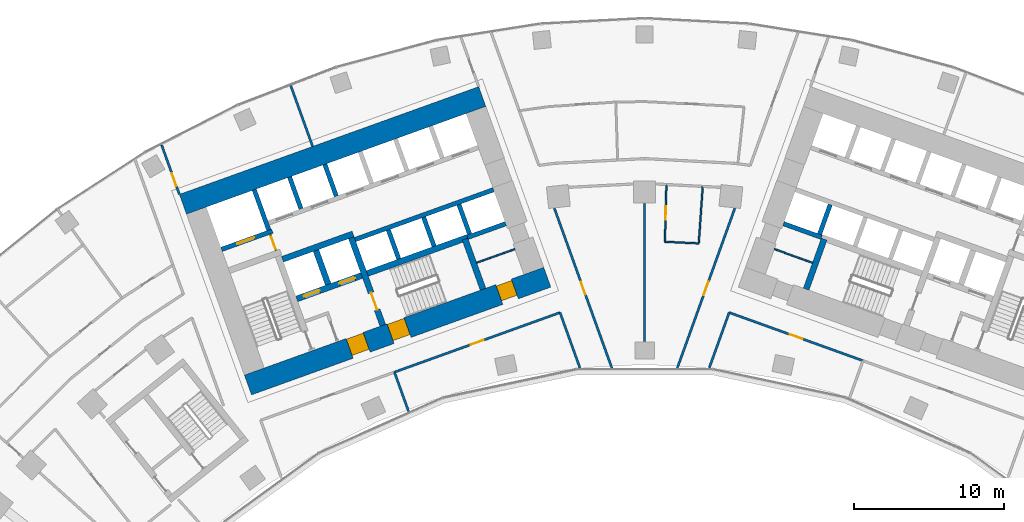
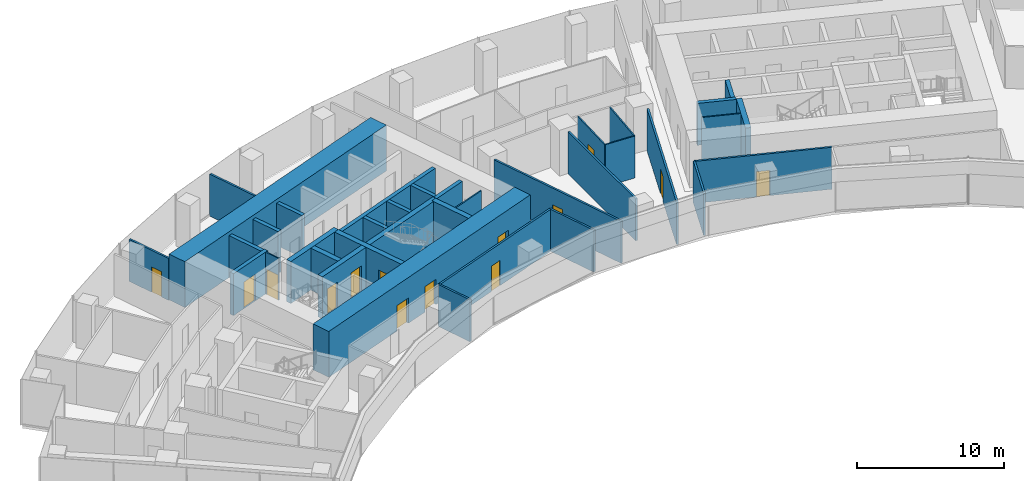
# One storey, part 15 of 21: 35 walls, 14 doors, 14 openings.
"""IFC4 building model written with IfcOpenShell, lengths in metres."""

from ifc_helpers import new_model, si_unit, direction, frame, frame_2d, origin, place, context, subcontext, project, spatial, rectangle, extrude, material, layer, layer_set, type_object, element, fill, save


model = new_model("IFC4")

# Units and contexts
model_context = context("Model", 3, precision=1e-05, world=origin(), true_north=direction((0.0, 1.0)))
body_context = subcontext(model_context, "Body", "Model", "MODEL_VIEW")
ifc_project = project(units=[si_unit("LENGTHUNIT", "METRE"), si_unit("AREAUNIT", "SQUARE_METRE"), si_unit("VOLUMEUNIT", "CUBIC_METRE"), si_unit("PLANEANGLEUNIT", "RADIAN"), si_unit("MASSUNIT", "GRAM", prefix="KILO")], contexts=[model_context])

# Site, building, storey
site_placement = place(None, origin())
site = spatial("IfcSite", under=ifc_project, at=site_placement, CompositionType="ELEMENT")
building_placement = place(site_placement, origin())
building = spatial("IfcBuilding", under=site, at=building_placement, Name="Stone Belt Terrace Tower", CompositionType="ELEMENT")
storey_placement = place(building_placement, frame((0.0, 0.0, 94.60009765625)))
storey = spatial("IfcBuildingStorey", under=building, at=storey_placement, Name="L22", CompositionType="ELEMENT", Elevation=94.60009765625)

# Wall, opening, door
ifc_material_1 = material(Name="Plasterboard partition")
ifc_layer_1 = layer(ifc_material_1, 0.10009765625)
ifc_layer_set_1 = layer_set([ifc_layer_1], Name="Core partition 100")
wall_type_1 = type_object("IfcWallType", Name="Core partition 100", PredefinedType="PARTITIONING", material=ifc_layer_set_1)
wall_1_placement = place(storey_placement, frame((-24.555908203125, 51.10400390625, 0.0), z_axis=(0.0, 0.0, 1.0), x_axis=(-0.338621735342, 0.94092258999, 0.0)))
wall_1 = element("IfcWall", 1, at=wall_1_placement, inside=storey, type_object=wall_type_1, Name="Core A wall", PredefinedType="PARTITIONING", context=body_context, shape_type="SweptSolid", body=[
    extrude(rectangle(XDim=1.14990234375, YDim=0.10009765625, at=frame_2d((0.574951171875, 0.0))), origin(), (0.0, 0.0, 1.0), 3.47998046875),
])
opening_1_placement = place(wall_1_placement, frame((0.050048828125, 0.0, 0.0)))
opening_1 = element("IfcOpeningElement", 2, at=opening_1_placement, cuts=wall_1, Name="Opening L22-C01", PredefinedType="OPENING", context=body_context, shape_type="SweptSolid", body=[
    extrude(rectangle(XDim=1.0, YDim=2.10009765625, at=frame_2d((0.5, 1.050048828125))), frame((0.0, 0.06005859375, 0.0), z_axis=(0.0, -1.0, 0.0), x_axis=(1.0, 0.0, 0.0)), (0.0, 0.0, 1.0), 0.1201171875),
])
ifc_material_2 = material(Name="Timber door leaf", Category="wood")
door_type_1 = type_object("IfcDoorType", Name="Core room door 1000", OperationType="SINGLE_SWING_LEFT", PredefinedType="DOOR", material=ifc_material_2)
door_1_placement = place(opening_1_placement, origin())
door_1 = element("IfcDoor", 3, at=door_1_placement, inside=storey, type_object=door_type_1, Name="Service lift lobby door core A", OperationType="SINGLE_SWING_LEFT", OverallHeight=2.10009765625, OverallWidth=1.0, PredefinedType="DOOR", context=body_context, shape_type="SweptSolid", body=[
    extrude(rectangle(XDim=1.0, YDim=2.10009765625, at=frame_2d((0.5, 1.050048828125))), frame((0.0, 0.02490234375, 0.0), z_axis=(0.0, -1.0, 0.0), x_axis=(1.0, 0.0, 0.0)), (0.0, 0.0, 1.0), 0.050048828125),
])
fill(opening_1, door_1)

# Walls
for number, where, z_axis, x_axis, name in (
    (4, (-11.187744140625, 50.2822265625, 0.0), (0.0, 0.0, 1.0), (0.940949642365, 0.338546555931, 0.0), "Core A wall"),
    (5, (11.187744140625, 50.2822265625, 0.0), (0.0, 0.0, 1.0), (-0.940949642365, 0.338546555931, 0.0), "Core B wall"),
):
    element("IfcWall", number, at=place(storey_placement, frame(where, z_axis=z_axis, x_axis=x_axis)), inside=storey, type_object=wall_type_1, Name=name, PredefinedType="PARTITIONING", context=body_context, shape_type="SweptSolid", body=[
        extrude(rectangle(XDim=2.699951171875, YDim=0.10009765625, at=frame_2d((1.35009765625, 0.0))), origin(), (0.0, 0.0, 1.0), 3.47998046875),
    ])

# Wall, openings, doors
ifc_material_3 = material(Name="Concrete B80", Category="concrete")
ifc_layer_2 = layer(ifc_material_3, 1.39990234375)
ifc_layer_set_2 = layer_set([ifc_layer_2], Name="Core wall 1400 B80")
wall_type_2 = type_object("IfcWallType", Name="Core wall 1400 B80", PredefinedType="SHEAR", material=ifc_layer_set_2)
wall_2_placement = place(storey_placement, frame((-26.430908203125, 42.139404296875, 0.0), z_axis=(0.0, 0.0, 1.0), x_axis=(0.940923374003, 0.33861955681, 0.0)))
wall_2 = element("IfcWall", 6, at=wall_2_placement, inside=storey, type_object=wall_type_2, Name="Core A wall concave L22", PredefinedType="SHEAR", context=body_context, shape_type="SweptSolid", body=[
    extrude(rectangle(XDim=21.199951171875, YDim=1.39990234375, at=frame_2d((10.60009765625, 0.0))), origin(), (0.0, 0.0, 1.0), 3.7998046875),
])
opening_2_placement = place(wall_2_placement, frame((7.199951171875, 0.0, 0.0)))
opening_2 = element("IfcOpeningElement", 7, at=opening_2_placement, cuts=wall_2, Name="Opening L22-C05", PredefinedType="OPENING", context=body_context, shape_type="SweptSolid", body=[
    extrude(rectangle(XDim=1.199951171875, YDim=2.10009765625, at=frame_2d((0.60009765625, 1.050048828125))), frame((0.0, 0.7099609375, 0.0), z_axis=(0.0, -1.0, 0.0), x_axis=(1.0, 0.0, 0.0)), (0.0, 0.0, 1.0), 1.419921875),
])
opening_3_placement = place(wall_2_placement, frame((10.099853515625, 0.0, 0.0)))
opening_3 = element("IfcOpeningElement", 8, at=opening_3_placement, cuts=wall_2, Name="Opening L22-C07", PredefinedType="OPENING", context=body_context, shape_type="SweptSolid", body=[
    extrude(rectangle(XDim=1.199951171875, YDim=2.10009765625, at=frame_2d((0.60009765625, 1.050048828125))), frame((0.0, 0.7099609375, 0.0), z_axis=(0.0, -1.0, 0.0), x_axis=(1.0, 0.0, 0.0)), (0.0, 0.0, 1.0), 1.419921875),
])
opening_4_placement = place(wall_2_placement, frame((17.800048828125, 0.0, 0.0)))
opening_4 = element("IfcOpeningElement", 9, at=opening_4_placement, cuts=wall_2, Name="Opening L22-C09", PredefinedType="OPENING", context=body_context, shape_type="SweptSolid", body=[
    extrude(rectangle(XDim=1.10009765625, YDim=2.10009765625, at=frame_2d((0.550048828125, 1.050048828125))), frame((0.0, 0.7099609375, 0.0), z_axis=(0.0, -1.0, 0.0), x_axis=(1.0, 0.0, 0.0)), (0.0, 0.0, 1.0), 1.419921875),
])
door_type_2 = type_object("IfcDoorType", Name="Core room door 1100", OperationType="SINGLE_SWING_LEFT", PredefinedType="DOOR", material=ifc_material_2)
door_2_placement = place(opening_4_placement, origin())
door_2 = element("IfcDoor", 10, at=door_2_placement, inside=storey, type_object=door_type_2, Name="Door to Cleaner's store core A", OperationType="SINGLE_SWING_LEFT", OverallHeight=2.10009765625, OverallWidth=1.10009765625, PredefinedType="DOOR", context=body_context, shape_type="SweptSolid", body=[
    extrude(rectangle(XDim=1.10009765625, YDim=2.10009765625, at=frame_2d((0.550048828125, 1.050048828125))), frame((0.0, 0.60498046875, 0.0), z_axis=(0.0, -1.0, 0.0), x_axis=(1.0, 0.0, 0.0)), (0.0, 0.0, 1.0), 1.050048828125),
])
fill(opening_4, door_2)
ifc_material_4 = material(Name="Steel door leaf", Category="steel")
door_type_3 = type_object("IfcDoorType", Name="Fire-fighting lobby door 1200", OperationType="SINGLE_SWING_LEFT", PredefinedType="DOOR", material=ifc_material_4)
door_3_placement = place(opening_2_placement, origin())
door_3 = element("IfcDoor", 11, at=door_3_placement, inside=storey, type_object=door_type_3, Name="Fire-fighting lobby door core A", OperationType="SINGLE_SWING_LEFT", OverallHeight=2.10009765625, OverallWidth=1.199951171875, PredefinedType="DOOR", context=body_context, shape_type="SweptSolid", body=[
    extrude(rectangle(XDim=1.199951171875, YDim=2.10009765625, at=frame_2d((0.60009765625, 1.050048828125))), frame((0.0, 0.655029296875, 0.0), z_axis=(0.0, -1.0, 0.0), x_axis=(1.0, 0.0, 0.0)), (0.0, 0.0, 1.0), 1.14990234375),
])
fill(opening_2, door_3)
door_type_4 = type_object("IfcDoorType", Name="Stair door 1200", OperationType="SINGLE_SWING_LEFT", PredefinedType="DOOR", material=ifc_material_4)
door_4_placement = place(opening_3_placement, origin())
door_4 = element("IfcDoor", 12, at=door_4_placement, inside=storey, type_object=door_type_4, Name="Stair 2 exit door core A", OperationType="SINGLE_SWING_RIGHT", OverallHeight=2.10009765625, OverallWidth=1.199951171875, PredefinedType="DOOR", context=body_context, shape_type="SweptSolid", body=[
    extrude(rectangle(XDim=1.199951171875, YDim=2.10009765625, at=frame_2d((0.60009765625, 1.050048828125))), frame((0.0, 0.655029296875, 0.0), z_axis=(0.0, -1.0, 0.0), x_axis=(1.0, 0.0, 0.0)), (0.0, 0.0, 1.0), 1.14990234375),
])
fill(opening_3, door_4)

# Walls
wall_3_placement = place(storey_placement, frame((-30.765380859375, 54.18310546875, 0.0), z_axis=(0.0, 0.0, 1.0), x_axis=(0.940919704758, 0.338629752382, 0.0)))
element("IfcWall", 13, at=wall_3_placement, inside=storey, type_object=wall_type_2, Name="Core A wall convex L22", PredefinedType="SHEAR", context=body_context, shape_type="SweptSolid", body=[
    extrude(rectangle(XDim=21.199951171875, YDim=1.39990234375, at=frame_2d((10.60009765625, 0.0))), origin(), (0.0, 0.0, 1.0), 3.7998046875),
])
ifc_layer_3 = layer(ifc_material_3, 0.39990234375)
ifc_layer_set_3 = layer_set([ifc_layer_3], Name="Fire-fighting lift shaft wall 400")
wall_type_3 = type_object("IfcWallType", Name="Fire-fighting lift shaft wall 400", PredefinedType="SHEAR", material=ifc_layer_set_3)
wall_4_placement = place(storey_placement, frame((-24.130615234375, 50.512939453125, 0.0), z_axis=(0.0, 0.0, 1.0), x_axis=(0.94091168377, 0.338652038744, 0.0)))
element("IfcWall", 14, at=wall_4_placement, inside=storey, type_object=wall_type_3, Name="Core A wall", PredefinedType="SHEAR", context=body_context, shape_type="SweptSolid", body=[
    extrude(rectangle(XDim=5.000244140625, YDim=0.39990234375, at=frame_2d((2.5, 0.0))), origin(), (0.0, 0.0, 1.0), 3.47998046875),
])
wall_5_placement = place(storey_placement, frame((-21.0859375, 48.845458984375, 0.0), z_axis=(0.0, 0.0, 1.0), x_axis=(-0.338629416206, 0.940919825745, 0.0)))
element("IfcWall", 15, at=wall_5_placement, inside=storey, type_object=wall_type_3, Name="Core A wall", PredefinedType="SHEAR", context=body_context, shape_type="SweptSolid", body=[
    extrude(rectangle(XDim=2.400146484375, YDim=0.39990234375, at=frame_2d((1.2001953125, 0.0))), origin(), (0.0, 0.0, 1.0), 3.47998046875),
])

# Wall, opening, door
ifc_layer_4 = layer(ifc_material_3, 0.300048828125)
ifc_layer_set_4 = layer_set([ifc_layer_4], Name="Lift shaft wall 300")
wall_type_4 = type_object("IfcWallType", Name="Lift shaft wall 300", PredefinedType="SHEAR", material=ifc_layer_set_4)
wall_6_placement = place(storey_placement, frame((-28.195068359375, 51.17578125, 0.0), z_axis=(0.0, 0.0, 1.0), x_axis=(0.940901243567, 0.338681044427, 0.0)))
wall_6 = element("IfcWall", 16, at=wall_6_placement, inside=storey, type_object=wall_type_4, Name="Core A wall", PredefinedType="SHEAR", context=body_context, shape_type="SweptSolid", body=[
    extrude(rectangle(XDim=3.599853515625, YDim=0.300048828125, at=frame_2d((1.7998046875, 0.0))), origin(), (0.0, 0.0, 1.0), 3.47998046875),
])
opening_5_placement = place(wall_6_placement, frame((1.1201171875, 0.0, 0.0)))
opening_5 = element("IfcOpeningElement", 17, at=opening_5_placement, cuts=wall_6, Name="Opening L22-LD09", PredefinedType="OPENING", context=body_context, shape_type="SweptSolid", body=[
    extrude(rectangle(XDim=1.199951171875, YDim=2.199951171875, at=frame_2d((0.60009765625, 1.10009765625))), frame((0.0, 0.159912109375, 0.0), z_axis=(0.0, -1.0, 0.0), x_axis=(1.0, 0.0, 0.0)), (0.0, 0.0, 1.0), 0.320068359375),
])
ifc_material_5 = material(Name="Stainless steel door leaf", Category="steel")
door_type_5 = type_object("IfcDoorType", Name="Landing door 1200", OperationType="SLIDING_TO_LEFT", PredefinedType="DOOR", material=ifc_material_5)
door_5_placement = place(opening_5_placement, origin())
door_5 = element("IfcDoor", 18, at=door_5_placement, inside=storey, type_object=door_type_5, Name="Landing door SV1 core A", OperationType="SLIDING_TO_LEFT", OverallHeight=2.199951171875, OverallWidth=1.199951171875, PredefinedType="DOOR", context=body_context, shape_type="SweptSolid", body=[
    extrude(rectangle(XDim=1.199951171875, YDim=2.199951171875, at=frame_2d((0.60009765625, 1.10009765625))), frame((0.0, 0.02490234375, 0.0), z_axis=(0.0, -1.0, 0.0), x_axis=(1.0, 0.0, 0.0)), (0.0, 0.0, 1.0), 0.050048828125),
])
fill(opening_5, door_5)

# Walls
wall_7_placement = place(storey_placement, frame((-25.046875, 52.46826171875, 0.0), z_axis=(0.0, 0.0, 1.0), x_axis=(-0.338549588058, 0.940948551423, 0.0)))
element("IfcWall", 19, at=wall_7_placement, inside=storey, type_object=wall_type_4, Name="Core A wall", PredefinedType="SHEAR", context=body_context, shape_type="SweptSolid", body=[
    extrude(rectangle(XDim=2.849853515625, YDim=0.300048828125, at=frame_2d((1.4248046875, 0.0))), origin(), (0.0, 0.0, 1.0), 3.47998046875),
])
wall_8_placement = place(storey_placement, frame((-22.897705078125, 53.87939453125, 0.0), z_axis=(0.0, 0.0, 1.0), x_axis=(-0.338535034312, 0.940953787677, 0.0)))
element("IfcWall", 20, at=wall_8_placement, inside=storey, type_object=wall_type_4, Name="Core A wall", PredefinedType="SHEAR", context=body_context, shape_type="SweptSolid", body=[
    extrude(rectangle(XDim=2.25, YDim=0.300048828125, at=frame_2d((1.125, 0.0))), origin(), (0.0, 0.0, 1.0), 3.47998046875),
])
wall_9_placement = place(storey_placement, frame((-19.29052734375, 51.829833984375, 0.0), z_axis=(0.0, 0.0, 1.0), x_axis=(0.940925833398, 0.338612722803, 0.0)))
element("IfcWall", 21, at=wall_9_placement, inside=storey, type_object=wall_type_4, Name="Core A wall", PredefinedType="SHEAR", context=body_context, shape_type="SweptSolid", body=[
    extrude(rectangle(XDim=9.7998046875, YDim=0.300048828125, at=frame_2d((4.89990234375, 0.0))), origin(), (0.0, 0.0, 1.0), 3.47998046875),
])
wall_10_placement = place(storey_placement, frame((-20.54541015625, 54.72607421875, 0.0), z_axis=(0.0, 0.0, 1.0), x_axis=(-0.338569601369, 0.940941350472, 0.0)))
element("IfcWall", 22, at=wall_10_placement, inside=storey, type_object=wall_type_4, Name="Core A wall", PredefinedType="SHEAR", context=body_context, shape_type="SweptSolid", body=[
    extrude(rectangle(XDim=2.249755859375, YDim=0.300048828125, at=frame_2d((1.125, 0.0))), origin(), (0.0, 0.0, 1.0), 3.47998046875),
])
for number, where, z_axis, x_axis, name in (
    (23, (-16.38134765625, 50.53857421875, 0.0), (0.0, 0.0, 1.0), (-0.338681515556, 0.940901073982, 0.0), "Core A wall"),
    (24, (-14.029052734375, 51.38525390625, 0.0), (0.0, 0.0, 1.0), (-0.338681515556, 0.940901073982, 0.0), "Core A wall"),
):
    element("IfcWall", number, at=place(storey_placement, frame(where, z_axis=z_axis, x_axis=x_axis)), inside=storey, type_object=wall_type_4, Name=name, PredefinedType="SHEAR", context=body_context, shape_type="SweptSolid", body=[
        extrude(rectangle(XDim=2.050048828125, YDim=0.300048828125, at=frame_2d((1.02490234375, 0.0))), origin(), (0.0, 0.0, 1.0), 3.47998046875),
    ])
wall_11_placement = place(storey_placement, frame((-11.797119140625, 51.975830078125, 0.0), z_axis=(0.0, 0.0, 1.0), x_axis=(0.940910465161, 0.33865542451, 0.0)))
element("IfcWall", 25, at=wall_11_placement, inside=storey, type_object=wall_type_4, Name="Core A wall", PredefinedType="SHEAR", context=body_context, shape_type="SweptSolid", body=[
    extrude(rectangle(XDim=2.69970703125, YDim=0.300048828125, at=frame_2d((1.349853515625, 0.0))), origin(), (0.0, 0.0, 1.0), 3.47998046875),
])
wall_12_placement = place(storey_placement, frame((-11.659912109375, 52.184814453125, 0.0), z_axis=(0.0, 0.0, 1.0), x_axis=(-0.338670064856, 0.940905195634, 0.0)))
element("IfcWall", 26, at=wall_12_placement, inside=storey, type_object=wall_type_4, Name="Core A wall", PredefinedType="SHEAR", context=body_context, shape_type="SweptSolid", body=[
    extrude(rectangle(XDim=2.099853515625, YDim=0.300048828125, at=frame_2d((1.0498046875, 0.0))), origin(), (0.0, 0.0, 1.0), 3.47998046875),
])
wall_13_placement = place(storey_placement, frame((11.797119140625, 51.975830078125, 0.0), z_axis=(0.0, 0.0, 1.0), x_axis=(-0.940910465161, 0.33865542451, 0.0)))
element("IfcWall", 27, at=wall_13_placement, inside=storey, type_object=wall_type_4, Name="Core B wall", PredefinedType="SHEAR", context=body_context, shape_type="SweptSolid", body=[
    extrude(rectangle(XDim=2.69970703125, YDim=0.300048828125, at=frame_2d((1.349853515625, 0.0))), origin(), (0.0, 0.0, 1.0), 3.47998046875),
])
wall_14_placement = place(storey_placement, frame((11.659912109375, 52.184814453125, 0.0), z_axis=(0.0, 0.0, 1.0), x_axis=(0.338670064856, 0.940905195634, 0.0)))
element("IfcWall", 28, at=wall_14_placement, inside=storey, type_object=wall_type_4, Name="Core B wall", PredefinedType="SHEAR", context=body_context, shape_type="SweptSolid", body=[
    extrude(rectangle(XDim=2.099853515625, YDim=0.300048828125, at=frame_2d((1.0498046875, 0.0))), origin(), (0.0, 0.0, 1.0), 3.47998046875),
])

# Wall, opening, door
ifc_material_6 = material(Name="Gypsum board partition")
ifc_layer_5 = layer(ifc_material_6, 0.10009765625)
ifc_layer_set_5 = layer_set([ifc_layer_5], Name="PARTITION 100")
wall_type_5 = type_object("IfcWallType", Name="PARTITION 100", PredefinedType="PARTITIONING", material=ifc_layer_set_5)
wall_15_placement = place(storey_placement, frame((1.4541015625, 55.4990234375, 0.0), z_axis=(0.0, 0.0, 1.0), x_axis=(-0.025958630336, -0.999663017977, 0.0)))
wall_15 = element("IfcWall", 29, at=wall_15_placement, inside=storey, type_object=wall_type_5, Name="L22/wall/i090", PredefinedType="PARTITIONING", context=body_context, shape_type="SweptSolid", body=[
    extrude(rectangle(XDim=3.818359375, YDim=0.10009765625, at=frame_2d((1.9091796875, 0.0))), origin(), (0.0, 0.0, 1.0), 3.47998046875),
])
opening_6_placement = place(wall_15_placement, frame((1.459228515625, 0.0, 0.0)))
opening_6 = element("IfcOpeningElement", 30, at=opening_6_placement, cuts=wall_15, Name="Opening D-B2-28", PredefinedType="OPENING", context=body_context, shape_type="SweptSolid", body=[
    extrude(rectangle(XDim=0.89990234375, YDim=2.10009765625, at=frame_2d((0.449951171875, 1.050048828125))), frame((0.0, 0.06005859375, 0.0), z_axis=(0.0, -1.0, 0.0), x_axis=(1.0, 0.0, 0.0)), (0.0, 0.0, 1.0), 0.1201171875),
])
door_type_6 = type_object("IfcDoorType", Name="OFFICE DOOR 900 X 2100", OperationType="NOTDEFINED", PredefinedType="DOOR", material=ifc_material_2)
door_6_placement = place(opening_6_placement, origin())
door_6 = element("IfcDoor", 31, at=door_6_placement, inside=storey, type_object=door_type_6, Name="L22/door/i28", OperationType="SINGLE_SWING_RIGHT", OverallHeight=2.10009765625, OverallWidth=0.89990234375, PredefinedType="DOOR", context=body_context, shape_type="SweptSolid", body=[
    extrude(rectangle(XDim=0.89990234375, YDim=2.10009765625, at=frame_2d((0.449951171875, 1.050048828125))), frame((0.0, 0.02490234375, 0.0), z_axis=(0.0, -1.0, 0.0), x_axis=(1.0, 0.0, 0.0)), (0.0, 0.0, 1.0), 0.050048828125),
])
fill(opening_6, door_6)

# Walls
wall_16_placement = place(storey_placement, frame((1.35498046875, 51.681884765625, 0.0), z_axis=(0.0, 0.0, 1.0), x_axis=(0.998855865407, -0.047822172066, 0.0)))
element("IfcWall", 32, at=wall_16_placement, inside=storey, type_object=wall_type_5, Name="L22/wall/i091", PredefinedType="PARTITIONING", context=body_context, shape_type="SweptSolid", body=[
    extrude(rectangle(XDim=2.256591796875, YDim=0.10009765625, at=frame_2d((1.12841796875, 0.0))), origin(), (0.0, 0.0, 1.0), 3.47998046875),
])
wall_17_placement = place(storey_placement, frame((3.60888671875, 51.573974609375, 0.0), z_axis=(0.0, 0.0, 1.0), x_axis=(0.069893575531, 0.997554453701, 0.0)))
element("IfcWall", 33, at=wall_17_placement, inside=storey, type_object=wall_type_5, Name="L22/wall/i092", PredefinedType="PARTITIONING", context=body_context, shape_type="SweptSolid", body=[
    extrude(rectangle(XDim=3.807373046875, YDim=0.10009765625, at=frame_2d((1.90380859375, 0.0))), origin(), (0.0, 0.0, 1.0), 3.47998046875),
])

# Wall, opening, door
ifc_layer_6 = layer(ifc_material_6, 0.14990234375)
ifc_layer_set_6 = layer_set([ifc_layer_6], Name="PARTITION 150 EI 60")
wall_type_6 = type_object("IfcWallType", Name="PARTITION 150 EI 60", PredefinedType="PARTITIONING", material=ifc_layer_set_6)
wall_18_placement = place(storey_placement, frame((-32.185791015625, 58.131103515625, 0.0), z_axis=(0.0, 0.0, 1.0), x_axis=(0.338662585219, -0.940907887826, 0.0)))
wall_18 = element("IfcWall", 34, at=wall_18_placement, inside=storey, type_object=wall_type_6, Name="L22/wall/i002", PredefinedType="PARTITIONING", context=body_context, shape_type="SweptSolid", body=[
    extrude(rectangle(XDim=3.49560546875, YDim=0.14990234375, at=frame_2d((1.747802734375, 0.0))), origin(), (0.0, 0.0, 1.0), 3.47998046875),
])
opening_7_placement = place(wall_18_placement, frame((1.996337890625, 0.0, 0.0)))
opening_7 = element("IfcOpeningElement", 35, at=opening_7_placement, cuts=wall_18, Name="Opening D-B2-03", PredefinedType="OPENING", context=body_context, shape_type="SweptSolid", body=[
    extrude(rectangle(XDim=0.89990234375, YDim=2.10009765625, at=frame_2d((0.449951171875, 1.050048828125))), frame((0.0, 0.0849609375, 0.0), z_axis=(0.0, -1.0, 0.0), x_axis=(1.0, 0.0, 0.0)), (0.0, 0.0, 1.0), 0.169921875),
])
door_7_placement = place(opening_7_placement, origin())
door_7 = element("IfcDoor", 36, at=door_7_placement, inside=storey, type_object=door_type_6, Name="L22/door/i03", OperationType="SINGLE_SWING_RIGHT", OverallHeight=2.10009765625, OverallWidth=0.89990234375, PredefinedType="DOOR", context=body_context, shape_type="SweptSolid", body=[
    extrude(rectangle(XDim=0.89990234375, YDim=2.10009765625, at=frame_2d((0.449951171875, 1.050048828125))), frame((0.0, 0.02490234375, 0.0), z_axis=(0.0, -1.0, 0.0), x_axis=(1.0, 0.0, 0.0)), (0.0, 0.0, 1.0), 0.050048828125),
])
fill(opening_7, door_7)

# Wall
wall_19_placement = place(storey_placement, frame((-4.31005859375, 43.27783203125, 0.0), z_axis=(0.0, 0.0, 1.0), x_axis=(-0.338490436495, 0.940969831823, 0.0)))
element("IfcWall", 37, at=wall_19_placement, inside=storey, type_object=wall_type_6, Name="L22/wall/i007", PredefinedType="PARTITIONING", context=body_context, shape_type="SweptSolid", body=[
    extrude(rectangle(XDim=3.92578125, YDim=0.14990234375, at=frame_2d((1.962890625, 0.0))), origin(), (0.0, 0.0, 1.0), 3.47998046875),
])

# Wall, opening, door
wall_20_placement = place(storey_placement, frame((-6.011962890625, 53.911865234375, 0.0), z_axis=(0.0, 0.0, 1.0), x_axis=(0.338656837626, -0.940909956547, 0.0)))
wall_20 = element("IfcWall", 38, at=wall_20_placement, inside=storey, type_object=wall_type_6, Name="L22/wall/i009", PredefinedType="PARTITIONING", context=body_context, shape_type="SweptSolid", body=[
    extrude(rectangle(XDim=11.319091796875, YDim=0.14990234375, at=frame_2d((5.65966796875, 0.0))), origin(), (0.0, 0.0, 1.0), 3.47998046875),
])
opening_8_placement = place(wall_20_placement, frame((5.20947265625, 0.0, 0.0)))
opening_8 = element("IfcOpeningElement", 39, at=opening_8_placement, cuts=wall_20, Name="Opening D-B2-26", PredefinedType="OPENING", context=body_context, shape_type="SweptSolid", body=[
    extrude(rectangle(XDim=0.89990234375, YDim=2.10009765625, at=frame_2d((0.449951171875, 1.050048828125))), frame((0.0, 0.0849609375, 0.0), z_axis=(0.0, -1.0, 0.0), x_axis=(1.0, 0.0, 0.0)), (0.0, 0.0, 1.0), 0.169921875),
])
door_8_placement = place(opening_8_placement, origin())
door_8 = element("IfcDoor", 40, at=door_8_placement, inside=storey, type_object=door_type_6, Name="L22/door/i26", OperationType="SINGLE_SWING_RIGHT", OverallHeight=2.10009765625, OverallWidth=0.89990234375, PredefinedType="DOOR", context=body_context, shape_type="SweptSolid", body=[
    extrude(rectangle(XDim=0.89990234375, YDim=2.10009765625, at=frame_2d((0.449951171875, 1.050048828125))), frame((0.0, 0.02490234375, 0.0), z_axis=(0.0, -1.0, 0.0), x_axis=(1.0, 0.0, 0.0)), (0.0, 0.0, 1.0), 0.050048828125),
])
fill(opening_8, door_8)

wall_21_placement = place(storey_placement, frame((-5.636962890625, 46.966064453125, 0.0), z_axis=(0.0, 0.0, 1.0), x_axis=(-0.940912345084, -0.338650201342, 0.0)))
wall_21 = element("IfcWall", 41, at=wall_21_placement, inside=storey, type_object=wall_type_6, Name="L22/wall/i013", PredefinedType="PARTITIONING", context=body_context, shape_type="SweptSolid", body=[
    extrude(rectangle(XDim=11.732177734375, YDim=0.14990234375, at=frame_2d((5.8662109375, 0.0))), origin(), (0.0, 0.0, 1.0), 3.47998046875),
])
opening_9_placement = place(wall_21_placement, frame((5.416015625, 0.0, 0.0)))
opening_9 = element("IfcOpeningElement", 42, at=opening_9_placement, cuts=wall_21, Name="Opening D-B2-02", PredefinedType="OPENING", context=body_context, shape_type="SweptSolid", body=[
    extrude(rectangle(XDim=0.89990234375, YDim=2.10009765625, at=frame_2d((0.449951171875, 1.050048828125))), frame((0.0, 0.0849609375, 0.0), z_axis=(0.0, -1.0, 0.0), x_axis=(1.0, 0.0, 0.0)), (0.0, 0.0, 1.0), 0.169921875),
])
door_9_placement = place(opening_9_placement, origin())
door_9 = element("IfcDoor", 43, at=door_9_placement, inside=storey, type_object=door_type_6, Name="L22/door/i02", OperationType="SINGLE_SWING_RIGHT", OverallHeight=2.10009765625, OverallWidth=0.89990234375, PredefinedType="DOOR", context=body_context, shape_type="SweptSolid", body=[
    extrude(rectangle(XDim=0.89990234375, YDim=2.10009765625, at=frame_2d((0.449951171875, 1.050048828125))), frame((0.0, 0.02490234375, 0.0), z_axis=(0.0, -1.0, 0.0), x_axis=(1.0, 0.0, 0.0)), (0.0, 0.0, 1.0), 0.050048828125),
])
fill(opening_9, door_9)

# Walls
wall_22_placement = place(storey_placement, frame((-16.669921875, 42.9951171875, 0.0), z_axis=(0.0, 0.0, 1.0), x_axis=(0.338497487459, -0.940967295385, 0.0)))
element("IfcWall", 44, at=wall_22_placement, inside=storey, type_object=wall_type_6, Name="L22/wall/i014", PredefinedType="PARTITIONING", context=body_context, shape_type="SweptSolid", body=[
    extrude(rectangle(XDim=2.80419921875, YDim=0.14990234375, at=frame_2d((1.402099609375, 0.0))), origin(), (0.0, 0.0, 1.0), 3.47998046875),
])
wall_23_placement = place(storey_placement, frame((-23.578857421875, 62.08203125, 0.0), z_axis=(0.0, 0.0, 1.0), x_axis=(0.338717456827, -0.940888135987, 0.0)))
element("IfcWall", 45, at=wall_23_placement, inside=storey, type_object=wall_type_6, Name="L22/wall/i015", PredefinedType="PARTITIONING", context=body_context, shape_type="SweptSolid", body=[
    extrude(rectangle(XDim=4.298095703125, YDim=0.14990234375, at=frame_2d((2.14892578125, 0.0))), origin(), (0.0, 0.0, 1.0), 3.47998046875),
])
wall_24_placement = place(storey_placement, frame((5.638916015625, 46.971923828125, 0.0), z_axis=(0.0, 0.0, 1.0), x_axis=(-0.338490436495, -0.940969831823, 0.0)))
element("IfcWall", 46, at=wall_24_placement, inside=storey, type_object=wall_type_6, Name="L22/wall/i016", PredefinedType="PARTITIONING", context=body_context, shape_type="SweptSolid", body=[
    extrude(rectangle(XDim=3.92578125, YDim=0.14990234375, at=frame_2d((1.962890625, 0.0))), origin(), (0.0, 0.0, 1.0), 3.47998046875),
])

# Wall, opening, door
wall_25_placement = place(storey_placement, frame((2.1787109375, 43.26171875, 0.0), z_axis=(0.0, 0.0, 1.0), x_axis=(0.338656837626, 0.940909956547, 0.0)))
wall_25 = element("IfcWall", 47, at=wall_25_placement, inside=storey, type_object=wall_type_6, Name="L22/wall/i018", PredefinedType="PARTITIONING", context=body_context, shape_type="SweptSolid", body=[
    extrude(rectangle(XDim=11.319091796875, YDim=0.14990234375, at=frame_2d((5.65966796875, 0.0))), origin(), (0.0, 0.0, 1.0), 3.47998046875),
])
opening_10_placement = place(wall_25_placement, frame((5.159423828125, 0.0, 0.0)))
opening_10 = element("IfcOpeningElement", 48, at=opening_10_placement, cuts=wall_25, Name="Opening D-B2-27", PredefinedType="OPENING", context=body_context, shape_type="SweptSolid", body=[
    extrude(rectangle(XDim=1.0, YDim=2.10009765625, at=frame_2d((0.5, 1.050048828125))), frame((0.0, 0.0849609375, 0.0), z_axis=(0.0, -1.0, 0.0), x_axis=(1.0, 0.0, 0.0)), (0.0, 0.0, 1.0), 0.169921875),
])
ifc_material_7 = material(Name="Timber fire door leaf", Category="wood")
door_type_7 = type_object("IfcDoorType", Name="TENANCY ENTRANCE DOOR 1000 X 2100", OperationType="NOTDEFINED", PredefinedType="DOOR", material=ifc_material_7)
door_10_placement = place(opening_10_placement, origin())
door_10 = element("IfcDoor", 49, at=door_10_placement, inside=storey, type_object=door_type_7, Name="L22/door/i27", OperationType="SINGLE_SWING_LEFT", OverallHeight=2.10009765625, OverallWidth=1.0, PredefinedType="DOOR", context=body_context, shape_type="SweptSolid", body=[
    extrude(rectangle(XDim=1.0, YDim=2.10009765625, at=frame_2d((0.5, 1.050048828125))), frame((0.0, 0.02490234375, 0.0), z_axis=(0.0, -1.0, 0.0), x_axis=(1.0, 0.0, 0.0)), (0.0, 0.0, 1.0), 0.050048828125),
])
fill(opening_10, door_10)

wall_26_placement = place(storey_placement, frame((14.55810546875, 43.7548828125, 0.0), z_axis=(0.0, 0.0, 1.0), x_axis=(-0.940901853913, 0.3386793488, 0.0)))
wall_26 = element("IfcWall", 50, at=wall_26_placement, inside=storey, type_object=wall_type_6, Name="L22/wall/i023", PredefinedType="PARTITIONING", context=body_context, shape_type="SweptSolid", body=[
    extrude(rectangle(XDim=9.4814453125, YDim=0.14990234375, at=frame_2d((4.74072265625, 0.0))), origin(), (0.0, 0.0, 1.0), 3.47998046875),
])
opening_11_placement = place(wall_26_placement, frame((4.29052734375, 0.0, 0.0)))
opening_11 = element("IfcOpeningElement", 51, at=opening_11_placement, cuts=wall_26, Name="Opening D-B2-05", PredefinedType="OPENING", context=body_context, shape_type="SweptSolid", body=[
    extrude(rectangle(XDim=0.89990234375, YDim=2.10009765625, at=frame_2d((0.449951171875, 1.050048828125))), frame((0.0, 0.0849609375, 0.0), z_axis=(0.0, -1.0, 0.0), x_axis=(1.0, 0.0, 0.0)), (0.0, 0.0, 1.0), 0.169921875),
])
door_11_placement = place(opening_11_placement, origin())
door_11 = element("IfcDoor", 52, at=door_11_placement, inside=storey, type_object=door_type_6, Name="L22/door/i05", OperationType="SINGLE_SWING_RIGHT", OverallHeight=2.10009765625, OverallWidth=0.89990234375, PredefinedType="DOOR", context=body_context, shape_type="SweptSolid", body=[
    extrude(rectangle(XDim=0.89990234375, YDim=2.10009765625, at=frame_2d((0.449951171875, 1.050048828125))), frame((0.0, 0.02490234375, 0.0), z_axis=(0.0, -1.0, 0.0), x_axis=(1.0, 0.0, 0.0)), (0.0, 0.0, 1.0), 0.050048828125),
])
fill(opening_11, door_11)

# Wall
wall_27_placement = place(storey_placement, frame((0.0, 54.2451171875, 0.0), z_axis=(0.0, 0.0, 1.0), x_axis=(0.0, -1.0, 0.0)))
element("IfcWall", 53, at=wall_27_placement, inside=storey, type_object=wall_type_6, Name="L22/wall/i089", PredefinedType="PARTITIONING", context=body_context, shape_type="SweptSolid", body=[
    extrude(rectangle(XDim=9.195068359375, YDim=0.14990234375, at=frame_2d((4.59765625, 0.0))), origin(), (0.0, 0.0, 1.0), 3.47998046875),
])

# Wall, openings, doors
ifc_layer_7 = layer(ifc_material_3, 0.39990234375)
ifc_layer_set_7 = layer_set([ifc_layer_7], Name="Stair enclosure wall 400")
wall_type_7 = type_object("IfcWallType", Name="Stair enclosure wall 400", PredefinedType="SHEAR", material=ifc_layer_set_7)
wall_28_placement = place(storey_placement, frame((-23.182373046875, 47.87841796875, 0.0), z_axis=(0.0, 0.0, 1.0), x_axis=(0.940921101762, 0.338625870628, 0.0)))
wall_28 = element("IfcWall", 54, at=wall_28_placement, inside=storey, type_object=wall_type_7, Name="Core A wall", PredefinedType="SHEAR", context=body_context, shape_type="SweptSolid", body=[
    extrude(rectangle(XDim=12.10009765625, YDim=0.39990234375, at=frame_2d((6.050048828125, 0.0))), origin(), (0.0, 0.0, 1.0), 3.47998046875),
])
opening_12_placement = place(wall_28_placement, frame((0.52001953125, 0.0, 0.0)))
opening_12 = element("IfcOpeningElement", 55, at=opening_12_placement, cuts=wall_28, Name="Opening L22-LD07", PredefinedType="OPENING", context=body_context, shape_type="SweptSolid", body=[
    extrude(rectangle(XDim=1.10009765625, YDim=2.199951171875, at=frame_2d((0.550048828125, 1.10009765625))), frame((0.0, 0.2099609375, 0.0), z_axis=(0.0, -1.0, 0.0), x_axis=(1.0, 0.0, 0.0)), (0.0, 0.0, 1.0), 0.419921875),
])
opening_13_placement = place(wall_28_placement, frame((3.02001953125, 0.0, 0.0)))
opening_13 = element("IfcOpeningElement", 56, at=opening_13_placement, cuts=wall_28, Name="Opening L22-LD08", PredefinedType="OPENING", context=body_context, shape_type="SweptSolid", body=[
    extrude(rectangle(XDim=1.10009765625, YDim=2.199951171875, at=frame_2d((0.550048828125, 1.10009765625))), frame((0.0, 0.2099609375, 0.0), z_axis=(0.0, -1.0, 0.0), x_axis=(1.0, 0.0, 0.0)), (0.0, 0.0, 1.0), 0.419921875),
])
door_type_8 = type_object("IfcDoorType", Name="Landing door 1100", OperationType="SLIDING_TO_LEFT", PredefinedType="DOOR", material=ifc_material_5)
door_12_placement = place(opening_12_placement, origin())
door_12 = element("IfcDoor", 57, at=door_12_placement, inside=storey, type_object=door_type_8, Name="Landing door FF1 core A", OperationType="SLIDING_TO_LEFT", OverallHeight=2.199951171875, OverallWidth=1.10009765625, PredefinedType="DOOR", context=body_context, shape_type="SweptSolid", body=[
    extrude(rectangle(XDim=1.10009765625, YDim=2.199951171875, at=frame_2d((0.550048828125, 1.10009765625))), frame((0.0, 0.02490234375, 0.0), z_axis=(0.0, -1.0, 0.0), x_axis=(1.0, 0.0, 0.0)), (0.0, 0.0, 1.0), 0.050048828125),
])
fill(opening_12, door_12)
door_13_placement = place(opening_13_placement, origin())
door_13 = element("IfcDoor", 58, at=door_13_placement, inside=storey, type_object=door_type_8, Name="Landing door FF2 core A", OperationType="SLIDING_TO_LEFT", OverallHeight=2.199951171875, OverallWidth=1.10009765625, PredefinedType="DOOR", context=body_context, shape_type="SweptSolid", body=[
    extrude(rectangle(XDim=1.10009765625, YDim=2.199951171875, at=frame_2d((0.550048828125, 1.10009765625))), frame((0.0, 0.02490234375, 0.0), z_axis=(0.0, -1.0, 0.0), x_axis=(1.0, 0.0, 0.0)), (0.0, 0.0, 1.0), 0.050048828125),
])
fill(opening_13, door_13)

# Wall, opening, door
wall_29_placement = place(storey_placement, frame((-17.447021484375, 46.116455078125, 0.0), z_axis=(0.0, 0.0, 1.0), x_axis=(-0.33860791464, 0.940927563707, 0.0)))
wall_29 = element("IfcWall", 59, at=wall_29_placement, inside=storey, type_object=wall_type_7, Name="Core A wall", PredefinedType="SHEAR", context=body_context, shape_type="SweptSolid", body=[
    extrude(rectangle(XDim=6.199951171875, YDim=0.39990234375, at=frame_2d((3.10009765625, 0.0))), origin(), (0.0, 0.0, 1.0), 3.47998046875),
])
opening_14_placement = place(wall_29_placement, frame((1.10009765625, 0.0, 0.0)))
opening_14 = element("IfcOpeningElement", 60, at=opening_14_placement, cuts=wall_29, Name="Opening L22-C06", PredefinedType="OPENING", context=body_context, shape_type="SweptSolid", body=[
    extrude(rectangle(XDim=1.199951171875, YDim=2.10009765625, at=frame_2d((0.60009765625, 1.050048828125))), frame((0.0, 0.2099609375, 0.0), z_axis=(0.0, -1.0, 0.0), x_axis=(1.0, 0.0, 0.0)), (0.0, 0.0, 1.0), 0.419921875),
])
door_14_placement = place(opening_14_placement, origin())
door_14 = element("IfcDoor", 61, at=door_14_placement, inside=storey, type_object=door_type_4, Name="Stair 2 door core A", OperationType="SINGLE_SWING_LEFT", OverallHeight=2.10009765625, OverallWidth=1.199951171875, PredefinedType="DOOR", context=body_context, shape_type="SweptSolid", body=[
    extrude(rectangle(XDim=1.199951171875, YDim=2.10009765625, at=frame_2d((0.60009765625, 1.050048828125))), frame((0.0, 0.02490234375, 0.0), z_axis=(0.0, -1.0, 0.0), x_axis=(1.0, 0.0, 0.0)), (0.0, 0.0, 1.0), 0.050048828125),
])
fill(opening_14, door_14)

# Walls
for number, where, z_axis, x_axis, name in (
    (62, (-10.766357421875, 48.520751953125, 0.0), (0.0, 0.0, 1.0), (-0.338626928157, 0.94092072117, 0.0), "Core A wall"),
    (63, (10.766357421875, 48.520751953125, 0.0), (0.0, 0.0, 1.0), (0.338626928157, 0.94092072117, 0.0), "Core B wall"),
):
    element("IfcWall", number, at=place(storey_placement, frame(where, z_axis=z_axis, x_axis=x_axis)), inside=storey, type_object=wall_type_7, Name=name, PredefinedType="SHEAR", context=body_context, shape_type="SweptSolid", body=[
        extrude(rectangle(XDim=3.550048828125, YDim=0.39990234375, at=frame_2d((1.77490234375, 0.0))), origin(), (0.0, 0.0, 1.0), 3.47998046875),
    ])

save(model, "model.ifc")
